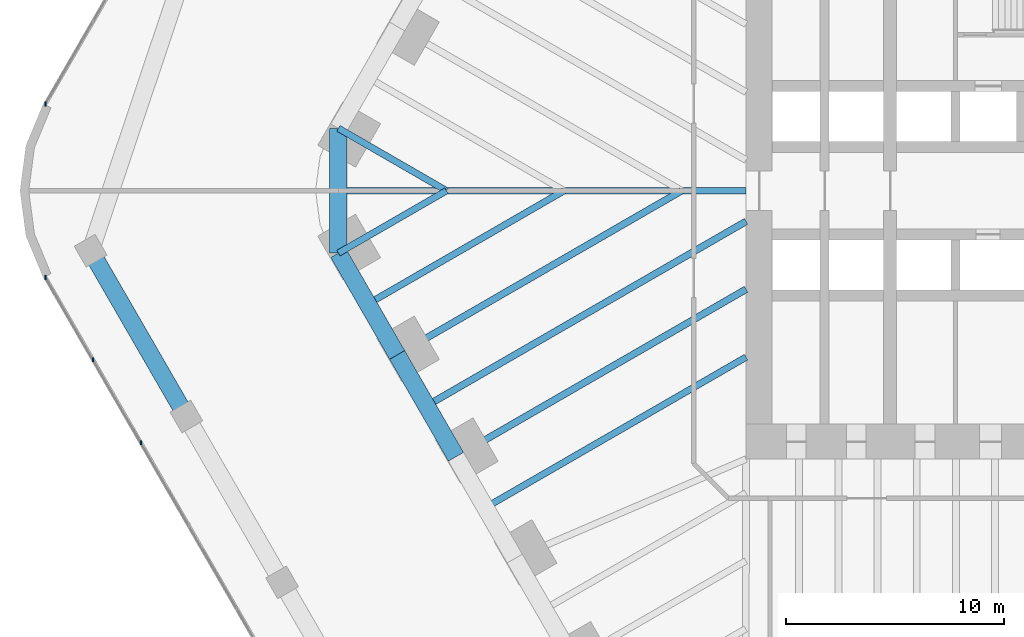
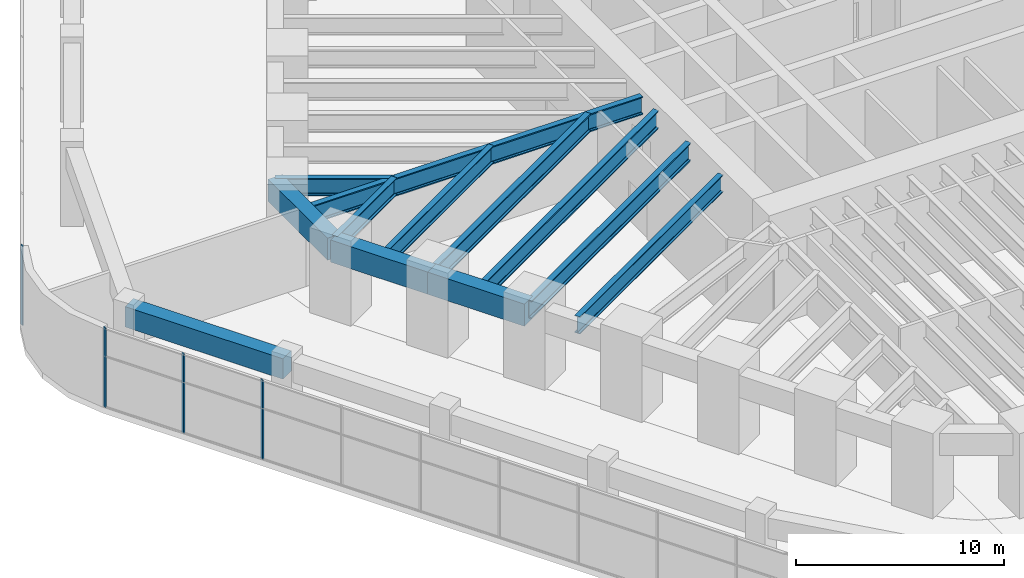
# One storey, part 9 of 31: 12 beams, 4 members, 2 elements without a shape of their own.
"""IFC4 building model written with IfcOpenShell, lengths in metres."""

from ifc_helpers import new_model, si_unit, direction, frame, origin, origin_2d, place, context, subcontext, project, spatial, rectangle, i_section, extrude, material, material_profile, profile_set, type_object, element, aggregate, save


model = new_model("IFC4")

# Units and contexts
model_context = context("Model", 3, precision=1e-05, world=origin(), true_north=direction((0.0, 1.0)))
body_context = subcontext(model_context, "Body", "Model", "MODEL_VIEW")
ifc_project = project(units=[si_unit("LENGTHUNIT", "METRE"), si_unit("AREAUNIT", "SQUARE_METRE"), si_unit("VOLUMEUNIT", "CUBIC_METRE"), si_unit("PLANEANGLEUNIT", "RADIAN"), si_unit("MASSUNIT", "GRAM", prefix="KILO")], contexts=[model_context])

# Site, building, storey
site_placement = place(None, origin())
site = spatial("IfcSite", under=ifc_project, at=site_placement, CompositionType="ELEMENT")
building_placement = place(site_placement, origin())
building = spatial("IfcBuilding", under=site, at=building_placement, Name="Tarfa Lantern Tower", CompositionType="ELEMENT")
storey_placement = place(building_placement, frame((0.0, 0.0, 18.5)))
storey = spatial("IfcBuildingStorey", under=building, at=storey_placement, Name="L03", CompositionType="ELEMENT", Elevation=18.5)

# Curtain wall, member
ifc_material_1 = material(Name="Aluminium framed curtain wall", Category="aluminium")
curtain_wall_type = type_object("IfcCurtainWallType", Name="CW7 PODIUM GLAZING 4650", PredefinedType="USERDEFINED", material=ifc_material_1)
curtain_wall_1_placement = place(storey_placement, origin())
curtain_wall_1 = element("IfcCurtainWall", 1, at=curtain_wall_1_placement, inside=storey, type_object=curtain_wall_type, Name="CW7 NW L03", ObjectType="CURTAIN WALL", PredefinedType="USERDEFINED")
ifc_material_2 = material(Name="Aluminium mullion", Category="aluminium")
ifc_material_profile_1 = material_profile(ifc_material_2, rectangle(XDim=0.06494140625, YDim=0.199951171875, at=origin_2d()), Name="AL MULLION 65x200")
ifc_profile_set_1 = profile_set([ifc_material_profile_1], Name="Aluminium mullion")
member_type = type_object("IfcMemberType", Name="CWM1 MULLION 65x200", PredefinedType="MULLION", material=ifc_profile_set_1)
member_1_placement = place(storey_placement, frame((-50.703857421875, 3.97802734375, 0.0), z_axis=(0.0, 0.0, 1.0), x_axis=(1.0, 0.0, 0.0)))
member_1 = element("IfcMember", 2, at=member_1_placement, type_object=member_type, Name="CW7 mullion 11", PredefinedType="MULLION", context=body_context, shape_type="SweptSolid", body=[
    extrude(rectangle(XDim=0.06494140625, YDim=0.199951171875, at=origin_2d()), origin(), (0.0, 0.0, 1.0), 4.64990234375),
])
aggregate(curtain_wall_1, [member_1])

# Curtain wall, members
curtain_wall_2_placement = place(storey_placement, origin())
curtain_wall_2 = element("IfcCurtainWall", 3, at=curtain_wall_2_placement, inside=storey, type_object=curtain_wall_type, Name="CW7 SW L03", ObjectType="CURTAIN WALL", PredefinedType="USERDEFINED")
member_2_placement = place(storey_placement, frame((-50.703857421875, -3.97802734375, 0.0), z_axis=(0.0, 0.0, 1.0), x_axis=(1.0, 0.0, 0.0)))
member_2 = element("IfcMember", 4, at=member_2_placement, type_object=member_type, Name="CW7 mullion 1", PredefinedType="MULLION", context=body_context, shape_type="SweptSolid", body=[
    extrude(rectangle(XDim=0.06494140625, YDim=0.199951171875, at=origin_2d()), origin(), (0.0, 0.0, 1.0), 4.64990234375),
])
member_3_placement = place(storey_placement, frame((-48.5263671875, -7.75, 0.0), z_axis=(0.0, 0.0, 1.0), x_axis=(1.0, 0.0, 0.0)))
member_3 = element("IfcMember", 5, at=member_3_placement, type_object=member_type, Name="CW7 mullion 2", PredefinedType="MULLION", context=body_context, shape_type="SweptSolid", body=[
    extrude(rectangle(XDim=0.06494140625, YDim=0.199951171875, at=origin_2d()), origin(), (0.0, 0.0, 1.0), 4.64990234375),
])
member_4_placement = place(storey_placement, frame((-46.332275390625, -11.550048828125, 0.0), z_axis=(0.0, 0.0, 1.0), x_axis=(1.0, 0.0, 0.0)))
member_4 = element("IfcMember", 6, at=member_4_placement, type_object=member_type, Name="CW7 mullion 3", PredefinedType="MULLION", context=body_context, shape_type="SweptSolid", body=[
    extrude(rectangle(XDim=0.06494140625, YDim=0.199951171875, at=origin_2d()), origin(), (0.0, 0.0, 1.0), 4.64990234375),
])
aggregate(curtain_wall_2, [member_2, member_3, member_4])

# Beams
ifc_material_3 = material(Name="Concrete C80/95", Category="concrete")
ifc_material_profile_2 = material_profile(ifc_material_3, rectangle(XDim=0.800048828125, YDim=1.300048828125, at=origin_2d()), Name="RC 800x1300")
ifc_profile_set_2 = profile_set([ifc_material_profile_2], Name="Concrete C80/95")
beam_type_1 = type_object("IfcBeamType", Name="EB1 RC 800x1300", PredefinedType="SPANDREL", material=ifc_profile_set_2)
beam_1_placement = place(storey_placement, frame((-37.285400390625, 2.860107421875, 4.0), z_axis=(0.0, -1.0, 0.0), x_axis=(1.0, 0.0, 0.0)))
element("IfcBeam", 7, at=beam_1_placement, inside=storey, type_object=beam_type_1, Name="Edge beam NW6", PredefinedType="SPANDREL", context=body_context, shape_type="SweptSolid", body=[
    extrude(rectangle(XDim=0.800048828125, YDim=1.300048828125, at=origin_2d()), origin(), (0.0, 0.0, 1.0), 5.72021484375),
])
beam_2_placement = place(storey_placement, frame((-37.285400390625, -2.860107421875, 4.0), z_axis=(0.500017906299, -0.866015065331, 0.0), x_axis=(0.866015065331, 0.500017906299, 0.0)))
element("IfcBeam", 8, at=beam_2_placement, inside=storey, type_object=beam_type_1, Name="Edge beam SW0", PredefinedType="SPANDREL", context=body_context, shape_type="SweptSolid", body=[
    extrude(rectangle(XDim=0.800048828125, YDim=1.300048828125, at=origin_2d()), origin(), (0.0, 0.0, 1.0), 5.388427734375),
])
beam_3_placement = place(storey_placement, frame((-34.591064453125, -7.526611328125, 4.0), z_axis=(0.499998287579, -0.866026392449, 0.0), x_axis=(0.866026392449, 0.499998287579, 0.0)))
element("IfcBeam", 9, at=beam_3_placement, inside=storey, type_object=beam_type_1, Name="Edge beam SW1", PredefinedType="SPANDREL", context=body_context, shape_type="SweptSolid", body=[
    extrude(rectangle(XDim=0.800048828125, YDim=1.300048828125, at=origin_2d()), origin(), (0.0, 0.0, 1.0), 5.388671875),
])
ifc_material_profile_3 = material_profile(ifc_material_3, rectangle(XDim=0.800048828125, YDim=1.199951171875, at=origin_2d()), Name="RC 800x1200")
ifc_profile_set_3 = profile_set([ifc_material_profile_3], Name="Concrete C80/95")
beam_type_2 = type_object("IfcBeamType", Name="PB2 RC 800x1200", PredefinedType="BEAM", material=ifc_profile_set_3)
beam_4_placement = place(storey_placement, frame((-48.641845703125, -2.75, 4.050048828125), z_axis=(0.50000179687, -0.866024366359, 0.0), x_axis=(0.866024366359, 0.50000179687, 0.0)))
element("IfcBeam", 10, at=beam_4_placement, inside=storey, type_object=beam_type_2, Name="Podium ring beam SW0", PredefinedType="BEAM", context=body_context, shape_type="SweptSolid", body=[
    extrude(rectangle(XDim=0.800048828125, YDim=1.199951171875, at=origin_2d()), origin(), (0.0, 0.0, 1.0), 8.77587890625),
])
ifc_material_4 = material(Name="Steel S460M", Category="steel")
ifc_material_profile_4 = material_profile(ifc_material_4, i_section(OverallWidth=0.302001953125, OverallDepth=1.008056640625, WebThickness=0.02099609375, FlangeThickness=0.0400390625, FilletRadius=0.030029296875, at=origin_2d()), Name="UB1016x305x349")
ifc_profile_set_4 = profile_set([ifc_material_profile_4], Name="Steel S460M")
beam_type_3 = type_object("IfcBeamType", Name="UB1016x305x349", PredefinedType="BEAM", material=ifc_profile_set_4)
for number, where, z_axis, x_axis, name in (
    (11, (-37.285400390625, 2.860107421875, 4.14599609375), (0.866025668288, -0.499999541866, 0.0), (0.499999541866, 0.866025668288, 0.0), "Floor beam NW6"),
    (12, (-37.285400390625, -2.860107421875, 4.14599609375), (0.866025668288, 0.499999541866, 0.0), (-0.499999541866, 0.866025668288, 0.0), "Floor beam SW0"),
):
    element("IfcBeam", number, at=place(storey_placement, frame(where, z_axis=z_axis, x_axis=x_axis)), inside=storey, type_object=beam_type_3, Name=name, PredefinedType="BEAM", context=body_context, shape_type="SweptSolid", body=[
        extrude(i_section(OverallWidth=0.302001953125, OverallDepth=1.008056640625, WebThickness=0.02099609375, FlangeThickness=0.0400390625, FilletRadius=0.030029296875, at=origin_2d()), origin(), (0.0, 0.0, 1.0), 5.72021484375),
    ])
beam_5_placement = place(storey_placement, frame((-35.938232421875, -5.193359375, 4.14599609375), z_axis=(0.866024317969, 0.500001880682, 0.0), x_axis=(-0.500001880682, 0.866024317969, 0.0)))
element("IfcBeam", 13, at=beam_5_placement, inside=storey, type_object=beam_type_3, Name="Floor beam SW0M", PredefinedType="BEAM", context=body_context, shape_type="SweptSolid", body=[
    extrude(i_section(OverallWidth=0.302001953125, OverallDepth=1.008056640625, WebThickness=0.02099609375, FlangeThickness=0.0400390625, FilletRadius=0.030029296875, at=origin_2d()), origin(), (0.0, 0.0, 1.0), 10.38671875),
])
beam_6_placement = place(storey_placement, frame((-30.549560546875, -14.526611328125, 4.14599609375), z_axis=(0.866028536827, 0.499994573371, 0.0), x_axis=(-0.499994573371, 0.866028536827, 0.0)))
element("IfcBeam", 14, at=beam_6_placement, inside=storey, type_object=beam_type_3, Name="Floor beam SW2M", PredefinedType="BEAM", context=body_context, shape_type="SweptSolid", body=[
    extrude(i_section(OverallWidth=0.302001953125, OverallDepth=1.008056640625, WebThickness=0.02099609375, FlangeThickness=0.0400390625, FilletRadius=0.030029296875, at=origin_2d()), origin(), (0.0, 0.0, 1.0), 13.798095703125),
])
ifc_material_profile_5 = material_profile(ifc_material_4, i_section(OverallWidth=0.314208984375, OverallDepth=1.055908203125, WebThickness=0.035888671875, FlangeThickness=0.06396484375, FilletRadius=0.030029296875, at=origin_2d()), Name="UB1016x305x584")
ifc_profile_set_5 = profile_set([ifc_material_profile_5], Name="Steel S460M")
beam_type_4 = type_object("IfcBeamType", Name="UB1016x305x584", PredefinedType="BEAM", material=ifc_profile_set_5)
beam_7_placement = place(storey_placement, frame((-18.60009765625, 0.0, 4.1220703125), z_axis=(-1.0, 0.0, 0.0), x_axis=(0.0, -1.0, 0.0)))
element("IfcBeam", 15, at=beam_7_placement, inside=storey, type_object=beam_type_4, Name="Hip girder W", PredefinedType="BEAM", context=body_context, shape_type="SweptSolid", body=[
    extrude(i_section(OverallWidth=0.314208984375, OverallDepth=1.055908203125, WebThickness=0.035888671875, FlangeThickness=0.06396484375, FilletRadius=0.030029296875, at=origin_2d()), origin(), (0.0, 0.0, 1.0), 18.685302734375),
])
beam_8_placement = place(storey_placement, frame((-34.591064453125, -7.526611328125, 4.1220703125), z_axis=(0.86602785945, 0.499995746638, 0.0), x_axis=(-0.499995746638, 0.86602785945, 0.0)))
element("IfcBeam", 16, at=beam_8_placement, inside=storey, type_object=beam_type_4, Name="Floor beam SW1", PredefinedType="BEAM", context=body_context, shape_type="SweptSolid", body=[
    extrude(i_section(OverallWidth=0.314208984375, OverallDepth=1.055908203125, WebThickness=0.035888671875, FlangeThickness=0.06396484375, FilletRadius=0.030029296875, at=origin_2d()), origin(), (0.0, 0.0, 1.0), 15.053466796875),
])
beam_9_placement = place(storey_placement, frame((-31.896728515625, -12.193359375, 4.1220703125), z_axis=(0.866026971665, 0.499997284341, 0.0), x_axis=(-0.499997284341, 0.866026971665, 0.0)))
element("IfcBeam", 17, at=beam_9_placement, inside=storey, type_object=beam_type_4, Name="Floor beam SW2", PredefinedType="BEAM", context=body_context, shape_type="SweptSolid", body=[
    extrude(i_section(OverallWidth=0.314208984375, OverallDepth=1.055908203125, WebThickness=0.035888671875, FlangeThickness=0.06396484375, FilletRadius=0.030029296875, at=origin_2d()), origin(), (0.0, 0.0, 1.0), 15.353515625),
])
beam_10_placement = place(storey_placement, frame((-33.243896484375, -9.860107421875, 4.1220703125), z_axis=(0.866019442478, 0.500010325144, 0.0), x_axis=(-0.500010325144, 0.866019442478, 0.0)))
element("IfcBeam", 18, at=beam_10_placement, inside=storey, type_object=beam_type_4, Name="Floor beam SW1M", PredefinedType="BEAM", context=body_context, shape_type="SweptSolid", body=[
    extrude(i_section(OverallWidth=0.314208984375, OverallDepth=1.055908203125, WebThickness=0.035888671875, FlangeThickness=0.06396484375, FilletRadius=0.030029296875, at=origin_2d()), origin(), (0.0, 0.0, 1.0), 16.909423828125),
])

save(model, "model.ifc")
